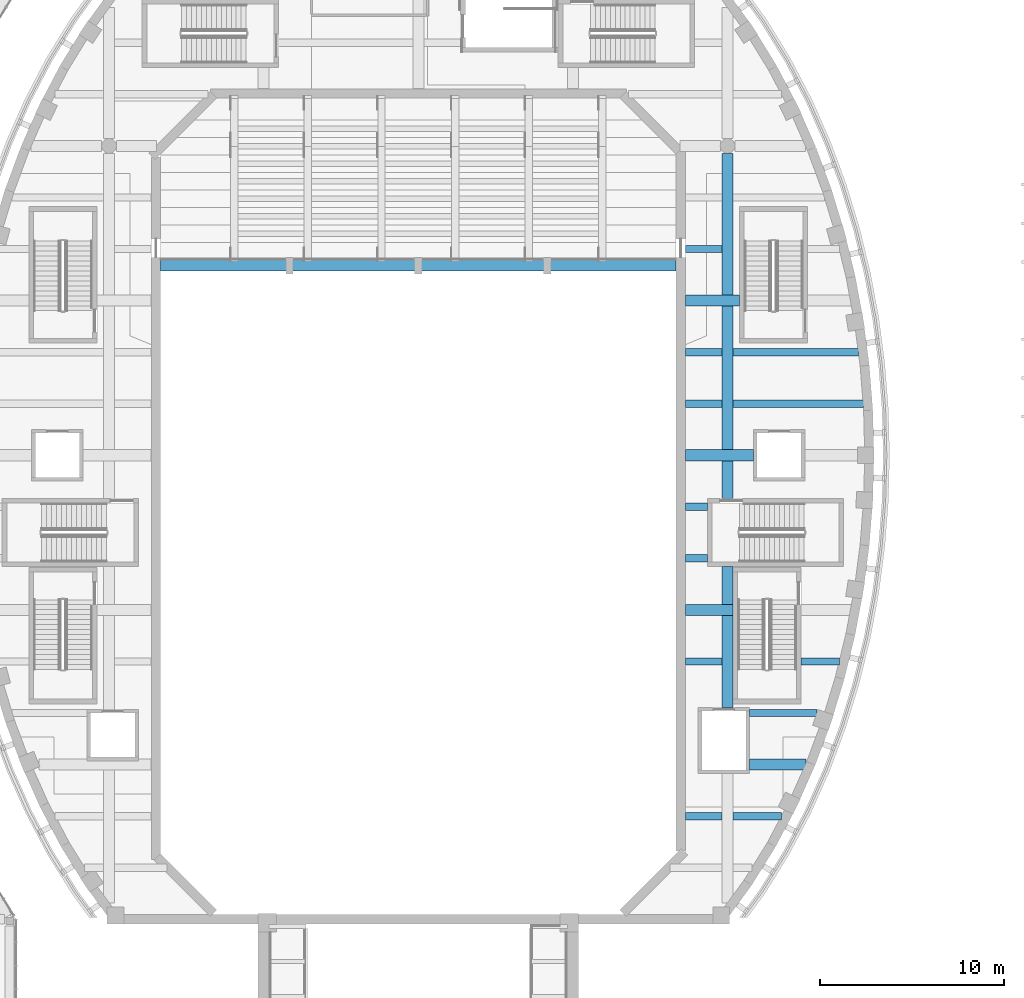
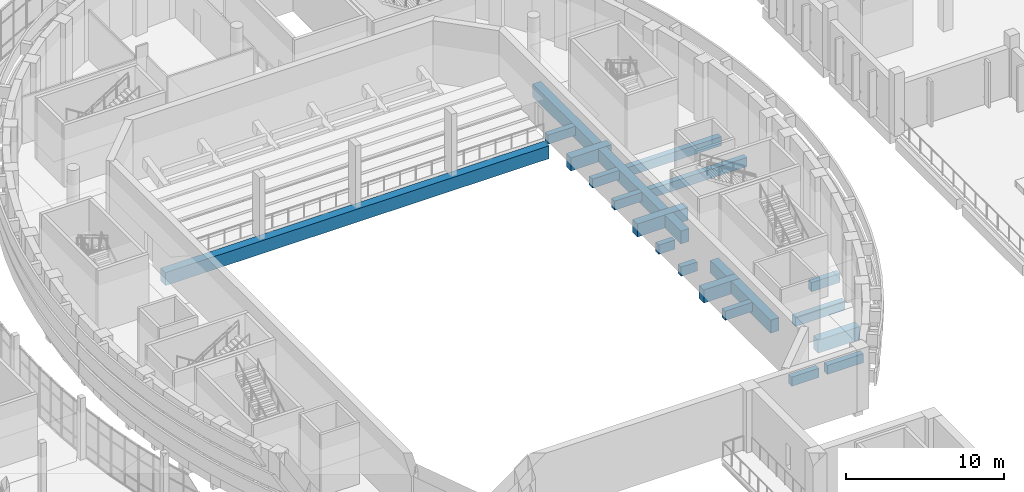
# One storey, part 15 of 103: 19 beams.
"""IFC4 building model written with IfcOpenShell, lengths in metres."""

from ifc_helpers import new_model, si_unit, direction, frame, origin, origin_2d, place, context, subcontext, project, spatial, rectangle, extrude, material, material_profile, profile_set, type_object, element, save


model = new_model("IFC4")

# Units and contexts
model_context = context("Model", 3, precision=1e-05, world=origin(), true_north=direction((0.0, 1.0)))
body_context = subcontext(model_context, "Body", "Model", "MODEL_VIEW")
ifc_project = project(units=[si_unit("LENGTHUNIT", "METRE"), si_unit("AREAUNIT", "SQUARE_METRE"), si_unit("VOLUMEUNIT", "CUBIC_METRE"), si_unit("PLANEANGLEUNIT", "RADIAN"), si_unit("MASSUNIT", "GRAM", prefix="KILO")], contexts=[model_context])

# Site, building, storey
site_placement = place(None, origin())
site = spatial("IfcSite", under=ifc_project, at=site_placement, CompositionType="ELEMENT")
building_placement = place(site_placement, origin())
building = spatial("IfcBuilding", under=site, at=building_placement, Name="Larchfold Concert Hall", CompositionType="ELEMENT")
storey_placement = place(building_placement, frame((0.0, 0.0, 9.60009765625)))
storey = spatial("IfcBuildingStorey", under=building, at=storey_placement, Name="L02", CompositionType="ELEMENT", Elevation=9.60009765625)

# Beams
ifc_material_1 = material(Name="Concrete C35/45", Category="concrete")
ifc_material_profile_1 = material_profile(ifc_material_1, rectangle(XDim=0.39990234375, YDim=0.699951171875, at=origin_2d()))
ifc_profile_set_1 = profile_set([ifc_material_profile_1], Name="Concrete C35/45")
beam_type_1 = type_object("IfcBeamType", Name="Beam RC 400x700", PredefinedType="BEAM", material=ifc_profile_set_1)
beam_1_placement = place(storey_placement, frame((57.110107421875, 65.0, -0.550048828125), z_axis=(1.0, 0.0, 0.0), x_axis=(0.0, 1.0, 0.0)))
element("IfcBeam", 1, at=beam_1_placement, inside=storey, type_object=beam_type_1, Name="Beam B1309", PredefinedType="BEAM", context=body_context, shape_type="SweptSolid", body=[
    extrude(rectangle(XDim=0.39990234375, YDim=0.699951171875, at=origin_2d()), origin(), (0.0, 0.0, 1.0), 1.989990234375),
])
beam_2_placement = place(storey_placement, frame((59.699951171875, 65.0, -0.550048828125), z_axis=(1.0, 0.0, 0.0), x_axis=(0.0, 1.0, 0.0)))
element("IfcBeam", 2, at=beam_2_placement, inside=storey, type_object=beam_type_1, Name="Beam B1310", PredefinedType="BEAM", context=body_context, shape_type="SweptSolid", body=[
    extrude(rectangle(XDim=0.39990234375, YDim=0.699951171875, at=origin_2d()), origin(), (0.0, 0.0, 1.0), 2.64013671875),
])
beam_3_placement = place(storey_placement, frame((60.60009765625, 70.60009765625, -0.550048828125), z_axis=(1.0, 0.0, 0.0), x_axis=(0.0, 1.0, 0.0)))
element("IfcBeam", 3, at=beam_3_placement, inside=storey, type_object=beam_type_1, Name="Beam B1312", PredefinedType="BEAM", context=body_context, shape_type="SweptSolid", body=[
    extrude(rectangle(XDim=0.39990234375, YDim=0.699951171875, at=origin_2d()), origin(), (0.0, 0.0, 1.0), 3.64306640625),
])
beam_4_placement = place(storey_placement, frame((57.110107421875, 73.39990234375, -0.550048828125), z_axis=(1.0, 0.0, 0.0), x_axis=(0.0, 1.0, 0.0)))
element("IfcBeam", 4, at=beam_4_placement, inside=storey, type_object=beam_type_1, Name="Beam B1315", PredefinedType="BEAM", context=body_context, shape_type="SweptSolid", body=[
    extrude(rectangle(XDim=0.39990234375, YDim=0.699951171875, at=origin_2d()), origin(), (0.0, 0.0, 1.0), 1.989990234375),
])
beam_5_placement = place(storey_placement, frame((63.39990234375, 73.39990234375, -0.550048828125), z_axis=(1.0, 0.0, 0.0), x_axis=(0.0, 1.0, 0.0)))
element("IfcBeam", 5, at=beam_5_placement, inside=storey, type_object=beam_type_1, Name="Beam B1316", PredefinedType="BEAM", context=body_context, shape_type="SweptSolid", body=[
    extrude(rectangle(XDim=0.39990234375, YDim=0.699951171875, at=origin_2d()), origin(), (0.0, 0.0, 1.0), 2.0791015625),
])
for number, where, z_axis, x_axis, name in (
    (6, (57.110107421875, 79.0, -0.550048828125), (1.0, 0.0, 0.0), (0.0, 1.0, 0.0), "Beam B1318"),
    (7, (57.110107421875, 81.800048828125, -0.550048828125), (1.0, 0.0, 0.0), (0.0, 1.0, 0.0), "Beam B1320"),
):
    element("IfcBeam", number, at=place(storey_placement, frame(where, z_axis=z_axis, x_axis=x_axis)), inside=storey, type_object=beam_type_1, Name=name, PredefinedType="BEAM", context=body_context, shape_type="SweptSolid", body=[
        extrude(rectangle(XDim=0.39990234375, YDim=0.699951171875, at=origin_2d()), origin(), (0.0, 0.0, 1.0), 1.18994140625),
    ])
beam_6_placement = place(storey_placement, frame((57.110107421875, 87.39990234375, -0.550048828125), z_axis=(1.0, 0.0, 0.0), x_axis=(0.0, 1.0, 0.0)))
element("IfcBeam", 8, at=beam_6_placement, inside=storey, type_object=beam_type_1, Name="Beam B1323", PredefinedType="BEAM", context=body_context, shape_type="SweptSolid", body=[
    extrude(rectangle(XDim=0.39990234375, YDim=0.699951171875, at=origin_2d()), origin(), (0.0, 0.0, 1.0), 1.989990234375),
])
beam_7_placement = place(storey_placement, frame((59.699951171875, 87.39990234375, -0.550048828125), z_axis=(1.0, 0.0, 0.0), x_axis=(0.0, 1.0, 0.0)))
element("IfcBeam", 9, at=beam_7_placement, inside=storey, type_object=beam_type_1, Name="Beam B1324", PredefinedType="BEAM", context=body_context, shape_type="SweptSolid", body=[
    extrude(rectangle(XDim=0.39990234375, YDim=0.699951171875, at=origin_2d()), origin(), (0.0, 0.0, 1.0), 7.078125),
])
beam_8_placement = place(storey_placement, frame((57.110107421875, 90.199951171875, -0.550048828125), z_axis=(1.0, 0.0, 0.0), x_axis=(0.0, 1.0, 0.0)))
element("IfcBeam", 10, at=beam_8_placement, inside=storey, type_object=beam_type_1, Name="Beam B1327", PredefinedType="BEAM", context=body_context, shape_type="SweptSolid", body=[
    extrude(rectangle(XDim=0.39990234375, YDim=0.699951171875, at=origin_2d()), origin(), (0.0, 0.0, 1.0), 1.989990234375),
])
beam_9_placement = place(storey_placement, frame((59.699951171875, 90.199951171875, -0.550048828125), z_axis=(1.0, 0.0, 0.0), x_axis=(0.0, 1.0, 0.0)))
element("IfcBeam", 11, at=beam_9_placement, inside=storey, type_object=beam_type_1, Name="Beam B1328", PredefinedType="BEAM", context=body_context, shape_type="SweptSolid", body=[
    extrude(rectangle(XDim=0.39990234375, YDim=0.699951171875, at=origin_2d()), origin(), (0.0, 0.0, 1.0), 6.81982421875),
])
beam_10_placement = place(storey_placement, frame((57.110107421875, 95.800048828125, -0.550048828125), z_axis=(1.0, 0.0, 0.0), x_axis=(0.0, 1.0, 0.0)))
element("IfcBeam", 12, at=beam_10_placement, inside=storey, type_object=beam_type_1, Name="Beam B1331", PredefinedType="BEAM", context=body_context, shape_type="SweptSolid", body=[
    extrude(rectangle(XDim=0.39990234375, YDim=0.699951171875, at=origin_2d()), origin(), (0.0, 0.0, 1.0), 1.989990234375),
])
ifc_material_2 = material(Name="Concrete C35/45", Category="concrete")
ifc_material_profile_2 = material_profile(ifc_material_2, rectangle(XDim=0.60009765625, YDim=1.0, at=origin_2d()))
ifc_profile_set_2 = profile_set([ifc_material_profile_2], Name="Concrete C35/45")
beam_type_2 = type_object("IfcBeamType", Name="Beam RC 600x1000", PredefinedType="BEAM", material=ifc_profile_set_2)
beam_11_placement = place(storey_placement, frame((59.39990234375, 70.89990234375, -0.7001953125), z_axis=(0.0, 1.0, 0.0), x_axis=(-1.0, 0.0, 0.0)))
element("IfcBeam", 13, at=beam_11_placement, inside=storey, type_object=beam_type_2, Name="Beam B1278", PredefinedType="BEAM", context=body_context, shape_type="SweptSolid", body=[
    extrude(rectangle(XDim=0.60009765625, YDim=1.0, at=origin_2d()), origin(), (0.0, 0.0, 1.0), 7.650146484375),
])
beam_12_placement = place(storey_placement, frame((59.39990234375, 82.25, -0.7001953125), z_axis=(0.0, 1.0, 0.0), x_axis=(-1.0, 0.0, 0.0)))
element("IfcBeam", 14, at=beam_12_placement, inside=storey, type_object=beam_type_2, Name="Beam B1279", PredefinedType="BEAM", context=body_context, shape_type="SweptSolid", body=[
    extrude(rectangle(XDim=0.60009765625, YDim=1.0, at=origin_2d()), origin(), (0.0, 0.0, 1.0), 18.751708984375),
])
beam_13_placement = place(storey_placement, frame((60.60009765625, 67.800048828125, -0.7001953125), z_axis=(1.0, 0.0, 0.0), x_axis=(0.0, 1.0, 0.0)))
element("IfcBeam", 15, at=beam_13_placement, inside=storey, type_object=beam_type_2, Name="Beam B1282", PredefinedType="BEAM", context=body_context, shape_type="SweptSolid", body=[
    extrude(rectangle(XDim=0.60009765625, YDim=1.0, at=origin_2d()), origin(), (0.0, 0.0, 1.0), 3.04638671875),
])
beam_14_placement = place(storey_placement, frame((57.110107421875, 76.199951171875, -0.7001953125), z_axis=(1.0, 0.0, 0.0), x_axis=(0.0, 1.0, 0.0)))
element("IfcBeam", 16, at=beam_14_placement, inside=storey, type_object=beam_type_2, Name="Beam B1285", PredefinedType="BEAM", context=body_context, shape_type="SweptSolid", body=[
    extrude(rectangle(XDim=0.60009765625, YDim=1.0, at=origin_2d()), origin(), (0.0, 0.0, 1.0), 2.58984375),
])
beam_15_placement = place(storey_placement, frame((57.110107421875, 84.60009765625, -0.7001953125), z_axis=(1.0, 0.0, 0.0), x_axis=(0.0, 1.0, 0.0)))
element("IfcBeam", 17, at=beam_15_placement, inside=storey, type_object=beam_type_2, Name="Beam B1289", PredefinedType="BEAM", context=body_context, shape_type="SweptSolid", body=[
    extrude(rectangle(XDim=0.60009765625, YDim=1.0, at=origin_2d()), origin(), (0.0, 0.0, 1.0), 3.68994140625),
])
beam_16_placement = place(storey_placement, frame((57.110107421875, 93.0, -0.7001953125), z_axis=(1.0, 0.0, 0.0), x_axis=(0.0, 1.0, 0.0)))
element("IfcBeam", 18, at=beam_16_placement, inside=storey, type_object=beam_type_2, Name="Beam B1293", PredefinedType="BEAM", context=body_context, shape_type="SweptSolid", body=[
    extrude(rectangle(XDim=0.60009765625, YDim=1.0, at=origin_2d()), origin(), (0.0, 0.0, 1.0), 2.93994140625),
])
beam_17_placement = place(storey_placement, frame((28.60009765625, 94.89990234375, -0.72021484375), z_axis=(1.0, 0.0, 0.0), x_axis=(0.0, 1.0, 0.0)))
element("IfcBeam", 19, at=beam_17_placement, inside=storey, type_object=beam_type_2, Name="Beam BG92", PredefinedType="BEAM", context=body_context, shape_type="SweptSolid", body=[
    extrude(rectangle(XDim=0.60009765625, YDim=1.0, at=origin_2d()), origin(), (0.0, 0.0, 1.0), 28.0),
])

save(model, "model.ifc")
